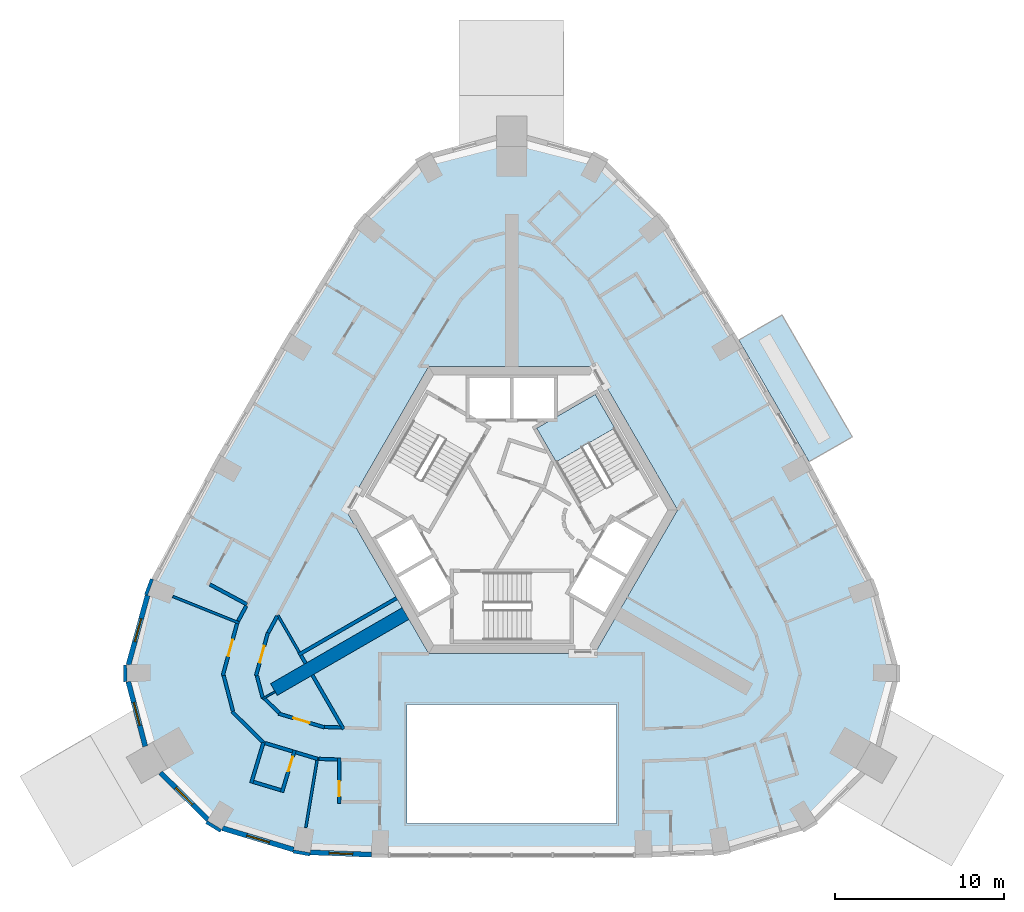
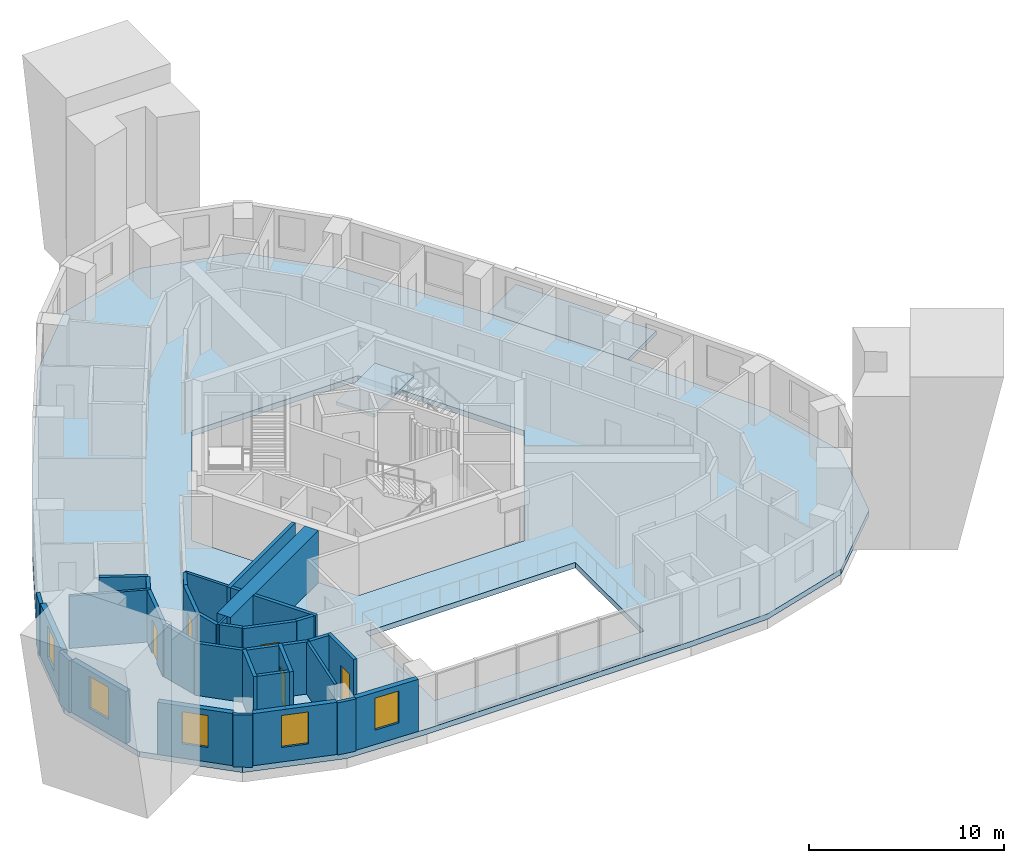
# One storey, part 3 of 11: 35 walls, 5 doors, 5 windows, 3 slabs, 10 openings, 1 element without a shape of its own.
"""IFC4 building model written with IfcOpenShell, lengths in metres."""

from ifc_helpers import new_model, si_unit, direction, frame, frame_2d, origin, place, context, subcontext, project, spatial, polyline, rectangle, outline, extrude, material, layer, layer_set, type_object, element, fill, aggregate, save


model = new_model("IFC4")

# Units and contexts
model_context = context("Model", 3, precision=1e-05, world=origin(), true_north=direction((0.0, 1.0)))
body_context = subcontext(model_context, "Body", "Model", "MODEL_VIEW")
ifc_project = project(units=[si_unit("LENGTHUNIT", "METRE"), si_unit("AREAUNIT", "SQUARE_METRE"), si_unit("VOLUMEUNIT", "CUBIC_METRE"), si_unit("PLANEANGLEUNIT", "RADIAN"), si_unit("MASSUNIT", "GRAM", prefix="KILO")], contexts=[model_context])

# Site, building, storey
site_placement = place(None, origin())
site = spatial("IfcSite", under=ifc_project, at=site_placement, CompositionType="ELEMENT")
building_placement = place(site_placement, origin())
building = spatial("IfcBuilding", under=site, at=building_placement, Name="Entoto Arch Interchange Tower", CompositionType="ELEMENT")
storey_placement = place(building_placement, frame((0.0, 0.0, 297.199951171875)))
storey = spatial("IfcBuildingStorey", under=building, at=storey_placement, Name="L69", CompositionType="ELEMENT", Elevation=297.199951171875)

# Slab
ifc_material_1 = material(Name="Board-marked precast concrete C50/60", Category="concrete")
ifc_layer_1 = layer(ifc_material_1, 0.25)
ifc_layer_set_1 = layer_set([ifc_layer_1], Name="Board-marked precast concrete C50/60")
slab_type_1 = type_object("IfcSlabType", Name="BALCONY DECK PRECAST 250", PredefinedType="FLOOR", material=ifc_layer_set_1)
slab_1_placement = place(storey_placement, frame((0.0, 0.0, -0.25)))
element("IfcSlab", 1, at=slab_1_placement, inside=storey, type_object=slab_type_1, Name="Planted balcony NE-02 L69", PredefinedType="FLOOR", context=body_context, shape_type="SweptSolid", body=[
    extrude(outline(polyline([(17.595947265625, 5.35791015625), (13.43798828125, 12.56005859375), (15.992919921875, 14.034912109375), (20.15087890625, 6.8330078125), (17.595947265625, 5.35791015625)])), origin(), (0.0, 0.0, 1.0), 0.25),
])

# Stair, slab
ifc_material_2 = material(Name="Concrete C40/50", Category="concrete")
stair_type = type_object("IfcStairType", Name="EXIT STAIR RC 1800", PredefinedType="HALF_TURN_STAIR", material=ifc_material_2)
stair_placement = place(storey_placement, origin())
stair = element("IfcStair", 2, at=stair_placement, inside=storey, type_object=stair_type, Name="L69 Exit stair NE", PredefinedType="HALF_TURN_STAIR")
ifc_layer_2 = layer(ifc_material_2, 0.199951171875)
ifc_layer_set_2 = layer_set([ifc_layer_2], Name="Concrete C40/50")
slab_type_2 = type_object("IfcSlabType", Name="EXIT STAIR LANDING RC 200", PredefinedType="LANDING", material=ifc_layer_set_2)
slab_2_placement = place(storey_placement, frame((0.0, 0.0, 1.60009765625)))
slab_2 = element("IfcSlab", 3, at=slab_2_placement, type_object=slab_type_2, Name="ST-NE landing 1", PredefinedType="LANDING", context=body_context, shape_type="SweptSolid", body=[
    extrude(outline(polyline([(6.093505859375, 7.345947265625), (4.943359375, 9.337890625), (1.479248046875, 7.337890625), (2.62939453125, 5.345947265625), (6.093505859375, 7.345947265625)])), origin(), (0.0, 0.0, 1.0), 0.199951171875),
])
aggregate(stair, [slab_2])

# Slab
ifc_layer_3 = layer(ifc_material_2, 0.340087890625)
ifc_layer_set_3 = layer_set([ifc_layer_3], Name="Concrete C40/50")
slab_type_3 = type_object("IfcSlabType", Name="Post-tensioned flat plate 340 C40/50", PredefinedType="FLOOR", material=ifc_layer_set_3)
slab_3_placement = place(storey_placement, frame((0.0, 0.0, -0.33984375)))
element("IfcSlab", 4, at=slab_3_placement, inside=storey, type_object=slab_type_3, Name="Floor slab L69", PredefinedType="FLOOR", context=body_context, shape_type="SweptSolid", body=[
    extrude(outline(polyline([(-12.447998046875, -17.889892578125), (-7.800048828125, -18.06396484375), (7.800048828125, -18.06396484375), (12.447998046875, -17.889892578125), (17.69189453125, -16.31201171875), (21.583984375, -12.4609375), (22.971923828125, -7.1650390625), (21.556884765625, -2.01708984375), (17.595947265625, 5.35791015625), (13.43798828125, 12.56005859375), (9.031982421875, 19.677001953125), (5.281005859375, 23.47705078125), (0.0, 24.923095703125), (-5.281005859375, 23.47705078125), (-9.031982421875, 19.677001953125), (-13.43798828125, 12.56005859375), (-17.595947265625, 5.35791015625), (-21.556884765625, -2.01708984375), (-22.971923828125, -7.1650390625), (-21.583984375, -12.4609375), (-17.69189453125, -16.31201171875), (-12.447998046875, -17.889892578125)]), holes=[polyline([(6.199951171875, -16.06396484375), (6.199951171875, -9.0), (-6.199951171875, -9.0), (-6.199951171875, -16.06396484375), (6.199951171875, -16.06396484375)]), polyline([(9.81494140625, 2.5), (4.906982421875, 11.0), (-4.906982421875, 11.0), (-9.81494140625, 2.5), (-4.906982421875, -6.0), (4.906982421875, -6.0), (9.81494140625, 2.5)])]), origin(), (0.0, 0.0, 1.0), 0.33984375),
])

# Walls
ifc_layer_4 = layer(ifc_material_2, 0.800048828125)
ifc_layer_set_4 = layer_set([ifc_layer_4], Name="Concrete C40/50")
wall_type_1 = type_object("IfcWallType", Name="Buttress wall 800 C40/50", PredefinedType="SHEAR", material=ifc_layer_set_4)
wall_1_placement = place(storey_placement, frame((-6.279052734375, -3.625, -0.33984375), z_axis=(0.0, 0.0, 1.0), x_axis=(-0.866017533419, -0.500013631625, 0.0)))
element("IfcWall", 5, at=wall_1_placement, inside=storey, type_object=wall_type_1, Name="Buttress wall SW L69", PredefinedType="SHEAR", context=body_context, shape_type="SweptSolid", body=[
    extrude(rectangle(XDim=8.999755859375, YDim=0.800048828125, at=frame_2d((4.5, 0.0))), origin(), (0.0, 0.0, 1.0), 3.599853515625),
])
ifc_material_3 = material(Name="Gypsum board partition on steel studs", Category="steel")
ifc_layer_5 = layer(ifc_material_3, 0.10009765625)
ifc_layer_set_5 = layer_set([ifc_layer_5], Name="Gypsum board partition on steel studs")
wall_type_2 = type_object("IfcWallType", Name="PARTITION 100", PredefinedType="PARTITIONING", material=ifc_layer_set_5)
wall_2_placement = place(storey_placement, frame((-14.001953125, -8.248046875, 0.0), z_axis=(0.0, 0.0, 1.0), x_axis=(-0.866142766235, -0.499796667154, 0.0)))
element("IfcWall", 6, at=wall_2_placement, inside=storey, type_object=wall_type_2, Name="wall:L69:p089", PredefinedType="PARTITIONING", context=body_context, shape_type="SweptSolid", body=[
    extrude(rectangle(XDim=0.854248046875, YDim=0.10009765625, at=frame_2d((0.42724609375, 0.0))), origin(), (0.0, 0.0, 1.0), 3.260009765625),
])
ifc_layer_6 = layer(ifc_material_3, 0.14990234375)
ifc_layer_set_6 = layer_set([ifc_layer_6], Name="Gypsum board partition on steel studs")
wall_type_3 = type_object("IfcWallType", Name="PARTITION 150", PredefinedType="PARTITIONING", material=ifc_layer_set_6)
wall_3_placement = place(storey_placement, frame((-12.570068359375, -5.927001953125, 0.0), z_axis=(0.0, 0.0, 1.0), x_axis=(-0.500197803108, 0.865911171983, 0.0)))
element("IfcWall", 7, at=wall_3_placement, inside=storey, type_object=wall_type_3, Name="wall:L69:p086", PredefinedType="PARTITIONING", context=body_context, shape_type="SweptSolid", body=[
    extrude(rectangle(XDim=2.548828125, YDim=0.14990234375, at=frame_2d((1.2744140625, 0.0))), origin(), (0.0, 0.0, 1.0), 3.260009765625),
])
wall_4_placement = place(storey_placement, frame((-16.137939453125, -4.18505859375, 0.0), z_axis=(0.0, 0.0, 1.0), x_axis=(-0.928432751736, 0.371500505388, 0.0)))
element("IfcWall", 8, at=wall_4_placement, inside=storey, type_object=wall_type_3, Name="wall:L69:p124", PredefinedType="PARTITIONING", context=body_context, shape_type="SweptSolid", body=[
    extrude(rectangle(XDim=4.2158203125, YDim=0.14990234375, at=frame_2d((2.10791015625, 0.0))), origin(), (0.0, 0.0, 1.0), 3.260009765625),
])
wall_5_placement = place(storey_placement, frame((-11.488037109375, -12.123046875, 0.0), z_axis=(0.0, 0.0, 1.0), x_axis=(-0.164174159643, -0.986431368776, 0.0)))
element("IfcWall", 9, at=wall_5_placement, inside=storey, type_object=wall_type_3, Name="wall:L69:p128", PredefinedType="PARTITIONING", context=body_context, shape_type="SweptSolid", body=[
    extrude(rectangle(XDim=4.226318359375, YDim=0.14990234375, at=frame_2d((2.11328125, 0.0))), origin(), (0.0, 0.0, 1.0), 3.260009765625),
])
ifc_layer_7 = layer(ifc_material_3, 0.199951171875)
ifc_layer_set_7 = layer_set([ifc_layer_7], Name="Gypsum board partition on steel studs")
wall_type_4 = type_object("IfcWallType", Name="PARTITION 200", PredefinedType="PARTITIONING", material=ifc_layer_set_7)
wall_6_placement = place(storey_placement, frame((-13.8798828125, -3.785888671875, 0.0), z_axis=(0.0, 0.0, 1.0), x_axis=(-0.473500327913, -0.880793641817, 0.0)))
element("IfcWall", 10, at=wall_6_placement, inside=storey, type_object=wall_type_4, Name="wall:L69:p025", PredefinedType="PARTITIONING", context=body_context, shape_type="SweptSolid", body=[
    extrude(rectangle(XDim=1.117431640625, YDim=0.199951171875, at=frame_2d((0.55859375, 0.0))), origin(), (0.0, 0.0, 1.0), 3.260009765625),
])

# Wall, opening, door
wall_7_placement = place(storey_placement, frame((-14.428955078125, -4.760986328125, 0.0), z_axis=(0.0, 0.0, 1.0), x_axis=(-0.265321869293, -0.964159896321, 0.0)))
wall_7 = element("IfcWall", 11, at=wall_7_placement, inside=storey, type_object=wall_type_4, Name="wall:L69:p026", PredefinedType="PARTITIONING", context=body_context, shape_type="SweptSolid", body=[
    extrude(rectangle(XDim=2.641845703125, YDim=0.199951171875, at=frame_2d((1.32080078125, 0.0))), origin(), (0.0, 0.0, 1.0), 3.260009765625),
])
opening_1_placement = place(wall_7_placement, frame((0.821044921875, 0.0, 0.0)))
opening_1 = element("IfcOpeningElement", 12, at=opening_1_placement, cuts=wall_7, Name="Opening L69-D30", PredefinedType="OPENING", context=body_context, shape_type="SweptSolid", body=[
    extrude(rectangle(XDim=1.0, YDim=2.10009765625, at=frame_2d((0.5, 1.050048828125))), frame((0.0, 0.10986328125, 0.0), z_axis=(0.0, -1.0, 0.0), x_axis=(1.0, 0.0, 0.0)), (0.0, 0.0, 1.0), 0.219970703125),
])
ifc_material_4 = material(Name="Timber door leaf in Steel S235 frame", Category="steel")
door_type_1 = type_object("IfcDoorType", Name="DOOR DS-10 1000x2100", OperationType="SINGLE_SWING_LEFT", PredefinedType="DOOR", material=ifc_material_4)
door_1_placement = place(opening_1_placement, origin())
door_1 = element("IfcDoor", 13, at=door_1_placement, inside=storey, type_object=door_type_1, Name="door:L69:30", OperationType="SINGLE_SWING_LEFT", OverallHeight=2.10009765625, OverallWidth=1.0, PredefinedType="DOOR", context=body_context, shape_type="SweptSolid", body=[
    extrude(rectangle(XDim=1.0, YDim=2.10009765625, at=frame_2d((0.5, 1.050048828125))), frame((0.0, 0.02490234375, 0.0), z_axis=(0.0, -1.0, 0.0), x_axis=(1.0, 0.0, 0.0)), (0.0, 0.0, 1.0), 0.050048828125),
])
fill(opening_1, door_1)

# Walls
wall_8_placement = place(storey_placement, frame((-15.077880859375, -7.30908203125, 0.0), z_axis=(0.0, 0.0, 1.0), x_axis=(0.254014079025, -0.967200520914, 0.0)))
element("IfcWall", 14, at=wall_8_placement, inside=storey, type_object=wall_type_4, Name="wall:L69:p027", PredefinedType="PARTITIONING", context=body_context, shape_type="SweptSolid", body=[
    extrude(rectangle(XDim=1.354248046875, YDim=0.199951171875, at=frame_2d((0.67724609375, 0.0))), origin(), (0.0, 0.0, 1.0), 3.260009765625),
])
wall_9_placement = place(storey_placement, frame((-14.6201171875, -8.659912109375, 0.0), z_axis=(0.0, 0.0, 1.0), x_axis=(0.710838137113, -0.703355630407, 0.0)))
element("IfcWall", 15, at=wall_9_placement, inside=storey, type_object=wall_type_4, Name="wall:L69:p028", PredefinedType="PARTITIONING", context=body_context, shape_type="SweptSolid", body=[
    extrude(rectangle(XDim=1.207275390625, YDim=0.199951171875, at=frame_2d((0.603515625, 0.0))), origin(), (0.0, 0.0, 1.0), 3.260009765625),
])

# Wall, opening, door
wall_10_placement = place(storey_placement, frame((-13.787109375, -9.550048828125, 0.0), z_axis=(0.0, 0.0, 1.0), x_axis=(0.957493454064, -0.288454997225, 0.0)))
wall_10 = element("IfcWall", 16, at=wall_10_placement, inside=storey, type_object=wall_type_4, Name="wall:L69:p029", PredefinedType="PARTITIONING", context=body_context, shape_type="SweptSolid", body=[
    extrude(rectangle(XDim=2.811767578125, YDim=0.199951171875, at=frame_2d((1.40576171875, 0.0))), origin(), (0.0, 0.0, 1.0), 3.260009765625),
])
opening_2_placement = place(wall_10_placement, frame((0.906005859375, 0.0, 0.0)))
opening_2 = element("IfcOpeningElement", 17, at=opening_2_placement, cuts=wall_10, Name="Opening L69-D31", PredefinedType="OPENING", context=body_context, shape_type="SweptSolid", body=[
    extrude(rectangle(XDim=1.0, YDim=2.10009765625, at=frame_2d((0.5, 1.050048828125))), frame((0.0, 0.10986328125, 0.0), z_axis=(0.0, -1.0, 0.0), x_axis=(1.0, 0.0, 0.0)), (0.0, 0.0, 1.0), 0.219970703125),
])
door_2_placement = place(opening_2_placement, origin())
door_2 = element("IfcDoor", 18, at=door_2_placement, inside=storey, type_object=door_type_1, Name="door:L69:31", OperationType="SINGLE_SWING_LEFT", OverallHeight=2.10009765625, OverallWidth=1.0, PredefinedType="DOOR", context=body_context, shape_type="SweptSolid", body=[
    extrude(rectangle(XDim=1.0, YDim=2.10009765625, at=frame_2d((0.5, 1.050048828125))), frame((0.0, 0.02490234375, 0.0), z_axis=(0.0, -1.0, 0.0), x_axis=(1.0, 0.0, 0.0)), (0.0, 0.0, 1.0), 0.050048828125),
])
fill(opening_2, door_2)

# Walls
wall_11_placement = place(storey_placement, frame((-11.091064453125, -10.3349609375, 0.0), z_axis=(0.0, 0.0, 1.0), x_axis=(0.999296807198, -0.037495214686, 0.0)))
element("IfcWall", 19, at=wall_11_placement, inside=storey, type_object=wall_type_4, Name="wall:L69:p030", PredefinedType="PARTITIONING", context=body_context, shape_type="SweptSolid", body=[
    extrude(rectangle(XDim=0.98974609375, YDim=0.199951171875, at=frame_2d((0.494873046875, 0.0))), origin(), (0.0, 0.0, 1.0), 3.260009765625),
])
wall_12_placement = place(storey_placement, frame((-16.18408203125, -4.05908203125, 0.0), z_axis=(0.0, 0.0, 1.0), x_axis=(0.473039108954, 0.881041430013, 0.0)))
element("IfcWall", 20, at=wall_12_placement, inside=storey, type_object=wall_type_4, Name="wall:L69:p054", PredefinedType="PARTITIONING", context=body_context, shape_type="SweptSolid", body=[
    extrude(rectangle(XDim=1.002197265625, YDim=0.199951171875, at=frame_2d((0.5009765625, 0.0))), origin(), (0.0, 0.0, 1.0), 3.260009765625),
])
wall_13_placement = place(storey_placement, frame((-11.48095703125, -12.22900390625, 0.0), z_axis=(0.0, 0.0, 1.0), x_axis=(-0.957537616046, 0.288308365917, 0.0)))
element("IfcWall", 21, at=wall_13_placement, inside=storey, type_object=wall_type_4, Name="wall:L69:p056", PredefinedType="PARTITIONING", context=body_context, shape_type="SweptSolid", body=[
    extrude(rectangle(XDim=1.352294921875, YDim=0.199951171875, at=frame_2d((0.67626953125, 0.0))), origin(), (0.0, 0.0, 1.0), 3.260009765625),
])
wall_14_placement = place(storey_placement, frame((-14.6201171875, -11.3330078125, 0.0), z_axis=(0.0, 0.0, 1.0), x_axis=(-0.710808598142, 0.703385482369, 0.0)))
element("IfcWall", 22, at=wall_14_placement, inside=storey, type_object=wall_type_4, Name="wall:L69:p057", PredefinedType="PARTITIONING", context=body_context, shape_type="SweptSolid", body=[
    extrude(rectangle(XDim=2.697021484375, YDim=0.199951171875, at=frame_2d((1.3486328125, 0.0))), origin(), (0.0, 0.0, 1.0), 3.260009765625),
])
wall_15_placement = place(storey_placement, frame((-16.490966796875, -9.409912109375, 0.0), z_axis=(0.0, 0.0, 1.0), x_axis=(-0.253618393349, 0.967304352598, 0.0)))
element("IfcWall", 23, at=wall_15_placement, inside=storey, type_object=wall_type_4, Name="wall:L69:p058", PredefinedType="PARTITIONING", context=body_context, shape_type="SweptSolid", body=[
    extrude(rectangle(XDim=2.184326171875, YDim=0.199951171875, at=frame_2d((1.09228515625, 0.0))), origin(), (0.0, 0.0, 1.0), 3.260009765625),
])

# Wall, opening, door
wall_16_placement = place(storey_placement, frame((-17.096923828125, -7.297119140625, 0.0), z_axis=(0.0, 0.0, 1.0), x_axis=(0.264861686213, 0.964286413456, 0.0)))
wall_16 = element("IfcWall", 24, at=wall_16_placement, inside=storey, type_object=wall_type_4, Name="wall:L69:p059", PredefinedType="PARTITIONING", context=body_context, shape_type="SweptSolid", body=[
    extrude(rectangle(XDim=3.291748046875, YDim=0.199951171875, at=frame_2d((1.64599609375, 0.0))), origin(), (0.0, 0.0, 1.0), 3.260009765625),
])
opening_3_placement = place(wall_16_placement, frame((1.195068359375, 0.0, 0.0)))
opening_3 = element("IfcOpeningElement", 25, at=opening_3_placement, cuts=wall_16, Name="Opening L69-D21", PredefinedType="OPENING", context=body_context, shape_type="SweptSolid", body=[
    extrude(rectangle(XDim=1.0, YDim=2.10009765625, at=frame_2d((0.5, 1.050048828125))), frame((0.0, 0.10986328125, 0.0), z_axis=(0.0, -1.0, 0.0), x_axis=(1.0, 0.0, 0.0)), (0.0, 0.0, 1.0), 0.219970703125),
])
ifc_material_5 = material(Name="Fire-rated Steel S235 door and frame", Category="steel")
door_type_2 = type_object("IfcDoorType", Name="DOOR FD-10 1000x2100", OperationType="SINGLE_SWING_LEFT", PredefinedType="DOOR", material=ifc_material_5)
door_3_placement = place(opening_3_placement, origin())
door_3 = element("IfcDoor", 26, at=door_3_placement, inside=storey, type_object=door_type_2, Name="door:L69:21", OperationType="SINGLE_SWING_RIGHT", OverallHeight=2.10009765625, OverallWidth=1.0, PredefinedType="DOOR", context=body_context, shape_type="SweptSolid", body=[
    extrude(rectangle(XDim=1.0, YDim=2.10009765625, at=frame_2d((0.5, 1.050048828125))), frame((0.0, 0.02490234375, 0.0), z_axis=(0.0, -1.0, 0.0), x_axis=(1.0, 0.0, 0.0)), (0.0, 0.0, 1.0), 0.050048828125),
])
fill(opening_3, door_3)

# Walls
wall_17_placement = place(storey_placement, frame((-12.968017578125, -11.781005859375, 0.0), z_axis=(0.0, 0.0, 1.0), x_axis=(-0.957517271828, 0.288375925054, 0.0)))
element("IfcWall", 27, at=wall_17_placement, inside=storey, type_object=wall_type_4, Name="wall:L69:p060", PredefinedType="PARTITIONING", context=body_context, shape_type="SweptSolid", body=[
    extrude(rectangle(XDim=1.69921875, YDim=0.199951171875, at=frame_2d((0.849609375, 0.0))), origin(), (0.0, 0.0, 1.0), 3.260009765625),
])
wall_18_placement = place(storey_placement, frame((-10.299072265625, -12.26611328125, 0.0), z_axis=(0.0, 0.0, 1.0), x_axis=(-0.999313019426, 0.03706061529, 0.0)))
element("IfcWall", 28, at=wall_18_placement, inside=storey, type_object=wall_type_4, Name="wall:L69:p061", PredefinedType="PARTITIONING", context=body_context, shape_type="SweptSolid", body=[
    extrude(rectangle(XDim=1.106689453125, YDim=0.199951171875, at=frame_2d((0.55322265625, 0.0))), origin(), (0.0, 0.0, 1.0), 3.260009765625),
])
wall_19_placement = place(storey_placement, frame((-6.803955078125, -2.714111328125, 0.0), z_axis=(0.0, 0.0, 1.0), x_axis=(-0.866057565063, -0.499944290893, 0.0)))
element("IfcWall", 29, at=wall_19_placement, inside=storey, type_object=wall_type_4, Name="wall:L69:p085", PredefinedType="PARTITIONING", context=body_context, shape_type="SweptSolid", body=[
    extrude(rectangle(XDim=6.700439453125, YDim=0.199951171875, at=frame_2d((3.35009765625, 0.0))), origin(), (0.0, 0.0, 1.0), 3.260009765625),
])
wall_20_placement = place(storey_placement, frame((-12.194091796875, -6.577880859375, 0.0), z_axis=(0.0, 0.0, 1.0), x_axis=(-0.500809139387, 0.865557742676, 0.0)))
element("IfcWall", 30, at=wall_20_placement, inside=storey, type_object=wall_type_4, Name="wall:L69:p087", PredefinedType="PARTITIONING", context=body_context, shape_type="SweptSolid", body=[
    extrude(rectangle(XDim=0.55078125, YDim=0.199951171875, at=frame_2d((0.275390625, 0.0))), origin(), (0.0, 0.0, 1.0), 3.260009765625),
])
wall_21_placement = place(storey_placement, frame((-9.951904296875, -10.462890625, 0.0), z_axis=(0.0, 0.0, 1.0), x_axis=(-0.499837150608, 0.866119404512, 0.0)))
element("IfcWall", 31, at=wall_21_placement, inside=storey, type_object=wall_type_4, Name="wall:L69:p088", PredefinedType="PARTITIONING", context=body_context, shape_type="SweptSolid", body=[
    extrude(rectangle(XDim=3.685302734375, YDim=0.199951171875, at=frame_2d((1.8427734375, 0.0))), origin(), (0.0, 0.0, 1.0), 3.260009765625),
])
wall_22_placement = place(storey_placement, frame((-17.864990234375, -1.905029296875, 0.0), z_axis=(0.0, 0.0, 1.0), x_axis=(0.881022314299, -0.473074710493, 0.0)))
element("IfcWall", 32, at=wall_22_placement, inside=storey, type_object=wall_type_4, Name="wall:L69:p123", PredefinedType="PARTITIONING", context=body_context, shape_type="SweptSolid", body=[
    extrude(rectangle(XDim=2.50048828125, YDim=0.199951171875, at=frame_2d((1.250244140625, 0.0))), origin(), (0.0, 0.0, 1.0), 3.260009765625),
])
wall_23_placement = place(storey_placement, frame((-14.69091796875, -11.261962890625, 0.0), z_axis=(0.0, 0.0, 1.0), x_axis=(-0.288440595492, -0.95749779262, 0.0)))
element("IfcWall", 33, at=wall_23_placement, inside=storey, type_object=wall_type_4, Name="wall:L69:p125", PredefinedType="PARTITIONING", context=body_context, shape_type="SweptSolid", body=[
    extrude(rectangle(XDim=2.500244140625, YDim=0.199951171875, at=frame_2d((1.25, 0.0))), origin(), (0.0, 0.0, 1.0), 3.260009765625),
])
wall_24_placement = place(storey_placement, frame((-15.287109375, -13.590087890625, 0.0), z_axis=(0.0, 0.0, 1.0), x_axis=(0.957735328181, -0.287650901536, 0.0)))
element("IfcWall", 34, at=wall_24_placement, inside=storey, type_object=wall_type_4, Name="wall:L69:p126", PredefinedType="PARTITIONING", context=body_context, shape_type="SweptSolid", body=[
    extrude(rectangle(XDim=1.699951171875, YDim=0.199951171875, at=frame_2d((0.85009765625, 0.0))), origin(), (0.0, 0.0, 1.0), 3.260009765625),
])

# Wall, opening, door
wall_25_placement = place(storey_placement, frame((-13.592041015625, -14.2041015625, 0.0), z_axis=(0.0, 0.0, 1.0), x_axis=(0.288062768188, 0.95761152958, 0.0)))
wall_25 = element("IfcWall", 35, at=wall_25_placement, inside=storey, type_object=wall_type_4, Name="wall:L69:p127", PredefinedType="PARTITIONING", context=body_context, shape_type="SweptSolid", body=[
    extrude(rectangle(XDim=2.60009765625, YDim=0.199951171875, at=frame_2d((1.300048828125, 0.0))), origin(), (0.0, 0.0, 1.0), 3.260009765625),
])
opening_4_placement = place(wall_25_placement, frame((1.300048828125, 0.0, 0.0)))
opening_4 = element("IfcOpeningElement", 36, at=opening_4_placement, cuts=wall_25, Name="Opening L69-D22", PredefinedType="OPENING", context=body_context, shape_type="SweptSolid", body=[
    extrude(rectangle(XDim=0.89990234375, YDim=2.10009765625, at=frame_2d((0.449951171875, 1.050048828125))), frame((0.0, 0.10986328125, 0.0), z_axis=(0.0, -1.0, 0.0), x_axis=(1.0, 0.0, 0.0)), (0.0, 0.0, 1.0), 0.219970703125),
])
door_type_3 = type_object("IfcDoorType", Name="DOOR DS-09 900x2100", OperationType="SINGLE_SWING_LEFT", PredefinedType="DOOR", material=ifc_material_4)
door_4_placement = place(opening_4_placement, origin())
door_4 = element("IfcDoor", 37, at=door_4_placement, inside=storey, type_object=door_type_3, Name="door:L69:22", OperationType="SINGLE_SWING_RIGHT", OverallHeight=2.10009765625, OverallWidth=0.89990234375, PredefinedType="DOOR", context=body_context, shape_type="SweptSolid", body=[
    extrude(rectangle(XDim=0.89990234375, YDim=2.10009765625, at=frame_2d((0.449951171875, 1.050048828125))), frame((0.0, 0.02490234375, 0.0), z_axis=(0.0, -1.0, 0.0), x_axis=(1.0, 0.0, 0.0)), (0.0, 0.0, 1.0), 0.050048828125),
])
fill(opening_4, door_4)

wall_26_placement = place(storey_placement, frame((-10.198974609375, -12.169921875, 0.0), z_axis=(0.0, 0.0, 1.0), x_axis=(-0.000363009324, -0.999999934112, 0.0)))
wall_26 = element("IfcWall", 38, at=wall_26_placement, inside=storey, type_object=wall_type_4, Name="wall:L69:p129", PredefinedType="PARTITIONING", context=body_context, shape_type="SweptSolid", body=[
    extrude(rectangle(XDim=2.690185546875, YDim=0.199951171875, at=frame_2d((1.34521484375, 0.0))), origin(), (0.0, 0.0, 1.0), 3.260009765625),
])
opening_5_placement = place(wall_26_placement, frame((1.3720703125, 0.0, 0.0)))
opening_5 = element("IfcOpeningElement", 39, at=opening_5_placement, cuts=wall_26, Name="Opening L69-D24", PredefinedType="OPENING", context=body_context, shape_type="SweptSolid", body=[
    extrude(rectangle(XDim=0.89990234375, YDim=2.10009765625, at=frame_2d((0.449951171875, 1.050048828125))), frame((0.0, 0.10986328125, 0.0), z_axis=(0.0, -1.0, 0.0), x_axis=(1.0, 0.0, 0.0)), (0.0, 0.0, 1.0), 0.219970703125),
])
door_5_placement = place(opening_5_placement, origin())
door_5 = element("IfcDoor", 40, at=door_5_placement, inside=storey, type_object=door_type_3, Name="door:L69:24", OperationType="SINGLE_SWING_RIGHT", OverallHeight=2.10009765625, OverallWidth=0.89990234375, PredefinedType="DOOR", context=body_context, shape_type="SweptSolid", body=[
    extrude(rectangle(XDim=0.89990234375, YDim=2.10009765625, at=frame_2d((0.449951171875, 1.050048828125))), frame((0.0, 0.02490234375, 0.0), z_axis=(0.0, -1.0, 0.0), x_axis=(1.0, 0.0, 0.0)), (0.0, 0.0, 1.0), 0.050048828125),
])
fill(opening_5, door_5)

# Wall, opening, window
ifc_material_6 = material(Name="Welded tuff (ignimbrite) cladding, warm buff", Category="masonry")
ifc_layer_8 = layer(ifc_material_6, 0.300048828125)
ifc_layer_set_8 = layer_set([ifc_layer_8], Name="Welded tuff (ignimbrite) cladding, warm buff")
wall_type_5 = type_object("IfcWallType", Name="STONE INFILL WALL 300", PredefinedType="STANDARD", material=ifc_layer_set_8)
wall_27_placement = place(storey_placement, frame((-11.919921875, -17.760009765625, 0.0), z_axis=(0.0, 0.0, 1.0), x_axis=(0.999306787149, -0.037228284377, 0.0)))
wall_27 = element("IfcWall", 41, at=wall_27_placement, inside=storey, type_object=wall_type_5, Name="Facade wall S-01 L69", PredefinedType="STANDARD", context=body_context, shape_type="SweptSolid", body=[
    extrude(rectangle(XDim=3.62646484375, YDim=0.300048828125, at=frame_2d((1.813232421875, 0.0))), origin(), (0.0, 0.0, 1.0), 3.260009765625),
])
opening_6_placement = place(wall_27_placement, frame((1.113037109375, 0.0, 0.89990234375)))
opening_6 = element("IfcOpeningElement", 42, at=opening_6_placement, cuts=wall_27, Name="Opening WH-B", PredefinedType="OPENING", context=body_context, shape_type="SweptSolid", body=[
    extrude(rectangle(XDim=1.39990234375, YDim=2.0, at=frame_2d((0.699951171875, 1.0))), frame((0.0, 0.16015625, 0.0), z_axis=(0.0, -1.0, 0.0), x_axis=(1.0, 0.0, 0.0)), (0.0, 0.0, 1.0), 0.320068359375),
])
ifc_material_7 = material(Name="Clear glass, low-e double glazed", Category="glass")
window_type = type_object("IfcWindowType", Name="WINDOW WH-B 1400x2000", PartitioningType="DOUBLE_PANEL_VERTICAL", PredefinedType="WINDOW", material=ifc_material_7)
window_1_placement = place(opening_6_placement, origin())
window_1 = element("IfcWindow", 43, at=window_1_placement, inside=storey, type_object=window_type, Name="Window WH-B S-01 L69", OverallHeight=2.0, OverallWidth=1.39990234375, PartitioningType="SINGLE_PANEL", PredefinedType="WINDOW", context=body_context, shape_type="SweptSolid", body=[
    extrude(rectangle(XDim=1.39990234375, YDim=2.0, at=frame_2d((0.699951171875, 1.0))), frame((0.0, 0.030029296875, 0.0), z_axis=(0.0, -1.0, 0.0), x_axis=(1.0, 0.0, 0.0)), (0.0, 0.0, 1.0), 0.06005859375),
])
fill(opening_6, window_1)

wall_28_placement = place(storey_placement, frame((-21.549072265625, -2.552978515625, 0.0), z_axis=(0.0, 0.0, 1.0), x_axis=(-0.264892613927, -0.964277917971, 0.0)))
wall_28 = element("IfcWall", 44, at=wall_28_placement, inside=storey, type_object=wall_type_5, Name="Facade wall SW-01 L69", PredefinedType="STANDARD", context=body_context, shape_type="SweptSolid", body=[
    extrude(rectangle(XDim=4.258056640625, YDim=0.300048828125, at=frame_2d((2.12890625, 0.0))), origin(), (0.0, 0.0, 1.0), 3.260009765625),
])
opening_7_placement = place(wall_28_placement, frame((1.428955078125, 0.0, 0.89990234375)))
opening_7 = element("IfcOpeningElement", 45, at=opening_7_placement, cuts=wall_28, Name="Opening WH-B", PredefinedType="OPENING", context=body_context, shape_type="SweptSolid", body=[
    extrude(rectangle(XDim=1.39990234375, YDim=2.0, at=frame_2d((0.699951171875, 1.0))), frame((0.0, 0.16015625, 0.0), z_axis=(0.0, -1.0, 0.0), x_axis=(1.0, 0.0, 0.0)), (0.0, 0.0, 1.0), 0.320068359375),
])
window_2_placement = place(opening_7_placement, origin())
window_2 = element("IfcWindow", 46, at=window_2_placement, inside=storey, type_object=window_type, Name="Window WH-B SW-01 L69", OverallHeight=2.0, OverallWidth=1.39990234375, PartitioningType="SINGLE_PANEL", PredefinedType="WINDOW", context=body_context, shape_type="SweptSolid", body=[
    extrude(rectangle(XDim=1.39990234375, YDim=2.0, at=frame_2d((0.699951171875, 1.0))), frame((0.0, 0.030029296875, 0.0), z_axis=(0.0, -1.0, 0.0), x_axis=(1.0, 0.0, 0.0)), (0.0, 0.0, 1.0), 0.06005859375),
])
fill(opening_7, window_2)

wall_29_placement = place(storey_placement, frame((-22.68798828125, -7.656982421875, 0.0), z_axis=(0.0, 0.0, 1.0), x_axis=(0.253402039956, -0.96736105263, 0.0)))
wall_29 = element("IfcWall", 47, at=wall_29_placement, inside=storey, type_object=wall_type_5, Name="Facade wall SW-02 L69", PredefinedType="STANDARD", context=body_context, shape_type="SweptSolid", body=[
    extrude(rectangle(XDim=3.9541015625, YDim=0.300048828125, at=frame_2d((1.97705078125, 0.0))), origin(), (0.0, 0.0, 1.0), 3.260009765625),
])
opening_8_placement = place(wall_29_placement, frame((1.277099609375, 0.0, 0.89990234375)))
opening_8 = element("IfcOpeningElement", 48, at=opening_8_placement, cuts=wall_29, Name="Opening WH-B", PredefinedType="OPENING", context=body_context, shape_type="SweptSolid", body=[
    extrude(rectangle(XDim=1.39990234375, YDim=2.0, at=frame_2d((0.699951171875, 1.0))), frame((0.0, 0.16015625, 0.0), z_axis=(0.0, -1.0, 0.0), x_axis=(1.0, 0.0, 0.0)), (0.0, 0.0, 1.0), 0.320068359375),
])
window_3_placement = place(opening_8_placement, origin())
window_3 = element("IfcWindow", 49, at=window_3_placement, inside=storey, type_object=window_type, Name="Window WH-B SW-02 L69", OverallHeight=2.0, OverallWidth=1.39990234375, PartitioningType="SINGLE_PANEL", PredefinedType="WINDOW", context=body_context, shape_type="SweptSolid", body=[
    extrude(rectangle(XDim=1.39990234375, YDim=2.0, at=frame_2d((0.699951171875, 1.0))), frame((0.0, 0.030029296875, 0.0), z_axis=(0.0, -1.0, 0.0), x_axis=(1.0, 0.0, 0.0)), (0.0, 0.0, 1.0), 0.06005859375),
])
fill(opening_8, window_3)

wall_30_placement = place(storey_placement, frame((-20.787109375, -13.0390625, 0.0), z_axis=(0.0, 0.0, 1.0), x_axis=(0.710893699296, -0.703299472701, 0.0)))
wall_30 = element("IfcWall", 50, at=wall_30_placement, inside=storey, type_object=wall_type_5, Name="Facade wall SW-03 L69", PredefinedType="STANDARD", context=body_context, shape_type="SweptSolid", body=[
    extrude(rectangle(XDim=3.954345703125, YDim=0.300048828125, at=frame_2d((1.97705078125, 0.0))), origin(), (0.0, 0.0, 1.0), 3.260009765625),
])
opening_9_placement = place(wall_30_placement, frame((1.277099609375, 0.0, 0.89990234375)))
opening_9 = element("IfcOpeningElement", 51, at=opening_9_placement, cuts=wall_30, Name="Opening WH-B", PredefinedType="OPENING", context=body_context, shape_type="SweptSolid", body=[
    extrude(rectangle(XDim=1.39990234375, YDim=2.0, at=frame_2d((0.699951171875, 1.0))), frame((0.0, 0.16015625, 0.0), z_axis=(0.0, -1.0, 0.0), x_axis=(1.0, 0.0, 0.0)), (0.0, 0.0, 1.0), 0.320068359375),
])
window_4_placement = place(opening_9_placement, origin())
window_4 = element("IfcWindow", 52, at=window_4_placement, inside=storey, type_object=window_type, Name="Window WH-B SW-03 L69", OverallHeight=2.0, OverallWidth=1.39990234375, PartitioningType="SINGLE_PANEL", PredefinedType="WINDOW", context=body_context, shape_type="SweptSolid", body=[
    extrude(rectangle(XDim=1.39990234375, YDim=2.0, at=frame_2d((0.699951171875, 1.0))), frame((0.0, 0.030029296875, 0.0), z_axis=(0.0, -1.0, 0.0), x_axis=(1.0, 0.0, 0.0)), (0.0, 0.0, 1.0), 0.06005859375),
])
fill(opening_9, window_4)

wall_31_placement = place(storey_placement, frame((-17.116943359375, -16.327880859375, 0.0), z_axis=(0.0, 0.0, 1.0), x_axis=(0.957563190743, -0.288223412884, 0.0)))
wall_31 = element("IfcWall", 53, at=wall_31_placement, inside=storey, type_object=wall_type_5, Name="Facade wall SW-04 L69", PredefinedType="STANDARD", context=body_context, shape_type="SweptSolid", body=[
    extrude(rectangle(XDim=4.399658203125, YDim=0.300048828125, at=frame_2d((2.19970703125, 0.0))), origin(), (0.0, 0.0, 1.0), 3.260009765625),
])
opening_10_placement = place(wall_31_placement, frame((1.5, 0.0, 0.89990234375)))
opening_10 = element("IfcOpeningElement", 54, at=opening_10_placement, cuts=wall_31, Name="Opening WH-B", PredefinedType="OPENING", context=body_context, shape_type="SweptSolid", body=[
    extrude(rectangle(XDim=1.39990234375, YDim=2.0, at=frame_2d((0.699951171875, 1.0))), frame((0.0, 0.16015625, 0.0), z_axis=(0.0, -1.0, 0.0), x_axis=(1.0, 0.0, 0.0)), (0.0, 0.0, 1.0), 0.320068359375),
])
window_5_placement = place(opening_10_placement, origin())
window_5 = element("IfcWindow", 55, at=window_5_placement, inside=storey, type_object=window_type, Name="Window WH-B SW-04 L69", OverallHeight=2.0, OverallWidth=1.39990234375, PartitioningType="SINGLE_PANEL", PredefinedType="WINDOW", context=body_context, shape_type="SweptSolid", body=[
    extrude(rectangle(XDim=1.39990234375, YDim=2.0, at=frame_2d((0.699951171875, 1.0))), frame((0.0, 0.030029296875, 0.0), z_axis=(0.0, -1.0, 0.0), x_axis=(1.0, 0.0, 0.0)), (0.0, 0.0, 1.0), 0.06005859375),
])
fill(opening_10, window_5)

# Walls
ifc_layer_9 = layer(ifc_material_6, 0.199951171875)
ifc_layer_set_9 = layer_set([ifc_layer_9], Name="Welded tuff (ignimbrite) cladding, warm buff")
wall_type_6 = type_object("IfcWallType", Name="STONE PIER CLADDING 200", PredefinedType="STANDARD", material=ifc_layer_set_9)
wall_32_placement = place(storey_placement, frame((-21.2880859375, -1.583984375, 0.0), z_axis=(0.0, 0.0, 1.0), x_axis=(-0.350962844851, -0.936389385637, 0.0)))
element("IfcWall", 56, at=wall_32_placement, inside=storey, type_object=wall_type_6, Name="Stone pier NW04 L69", PredefinedType="STANDARD", context=body_context, shape_type="SweptSolid", body=[
    extrude(rectangle(XDim=0.99951171875, YDim=0.199951171875, at=frame_2d((0.499755859375, 0.0))), origin(), (0.0, 0.0, 1.0), 3.260009765625),
])
wall_33_placement = place(storey_placement, frame((-12.924072265625, -17.70703125, 0.0), z_axis=(0.0, 0.0, 1.0), x_axis=(0.985800545746, -0.167920469293, 0.0)))
element("IfcWall", 57, at=wall_33_placement, inside=storey, type_object=wall_type_6, Name="Stone pier S01 L69", PredefinedType="STANDARD", context=body_context, shape_type="SweptSolid", body=[
    extrude(rectangle(XDim=1.000244140625, YDim=0.199951171875, at=frame_2d((0.5, 0.0))), origin(), (0.0, 0.0, 1.0), 3.260009765625),
])
wall_34_placement = place(storey_placement, frame((-22.884033203125, -6.6630859375, 0.0), z_axis=(0.0, 0.0, 1.0), x_axis=(0.023942303888, -0.999713341956, 0.0)))
element("IfcWall", 58, at=wall_34_placement, inside=storey, type_object=wall_type_6, Name="Stone pier SW1 L69", PredefinedType="STANDARD", context=body_context, shape_type="SweptSolid", body=[
    extrude(rectangle(XDim=0.999267578125, YDim=0.199951171875, at=frame_2d((0.49951171875, 0.0))), origin(), (0.0, 0.0, 1.0), 3.260009765625),
])
wall_35_placement = place(storey_placement, frame((-18.06689453125, -15.966064453125, 0.0), z_axis=(0.0, 0.0, 1.0), x_axis=(0.853679739553, -0.520798331677, 0.0)))
element("IfcWall", 59, at=wall_35_placement, inside=storey, type_object=wall_type_6, Name="Stone pier SW3 L69", PredefinedType="STANDARD", context=body_context, shape_type="SweptSolid", body=[
    extrude(rectangle(XDim=1.00048828125, YDim=0.199951171875, at=frame_2d((0.500244140625, 0.0))), origin(), (0.0, 0.0, 1.0), 3.260009765625),
])

save(model, "model.ifc")
